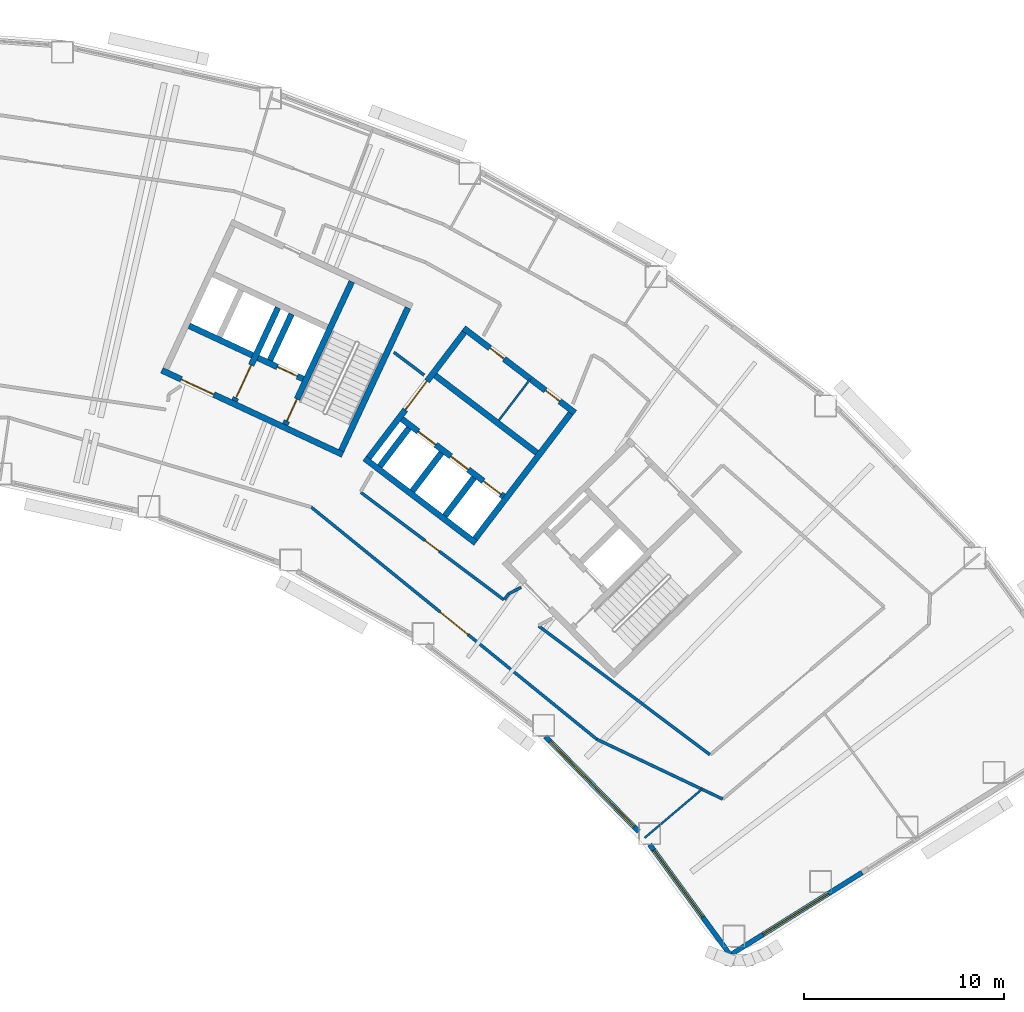
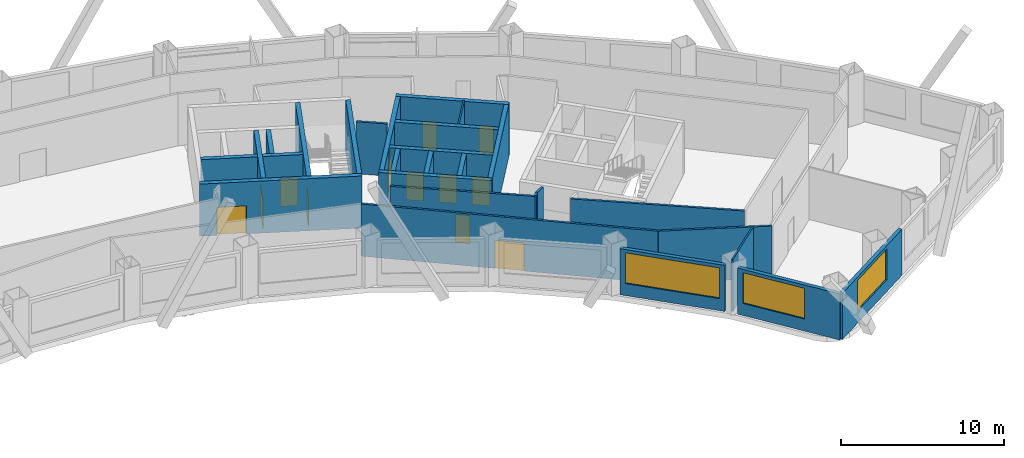
# One storey, part 6 of 11: 28 walls, 12 doors, 3 windows, 15 openings.
"""IFC4 building model written with IfcOpenShell, lengths in metres."""

from ifc_helpers import new_model, si_unit, direction, frame, frame_2d, origin, place, context, subcontext, project, spatial, rectangle, extrude, material, layer, layer_set, type_object, element, fill, save


model = new_model("IFC4")

# Units and contexts
model_context = context("Model", 3, precision=1e-05, world=origin(), true_north=direction((0.0, 1.0)))
body_context = subcontext(model_context, "Body", "Model", "MODEL_VIEW")
ifc_project = project(units=[si_unit("LENGTHUNIT", "METRE"), si_unit("AREAUNIT", "SQUARE_METRE"), si_unit("VOLUMEUNIT", "CUBIC_METRE"), si_unit("PLANEANGLEUNIT", "RADIAN"), si_unit("MASSUNIT", "GRAM", prefix="KILO")], contexts=[model_context])

# Site, building, storey
site_placement = place(None, origin())
site = spatial("IfcSite", under=ifc_project, at=site_placement, CompositionType="ELEMENT")
building_placement = place(site_placement, origin())
building = spatial("IfcBuilding", under=site, at=building_placement, Name="Tuul Gate Civic Tower", CompositionType="ELEMENT")
storey_placement = place(building_placement, frame((0.0, 0.0, 99.300048828125)))
storey = spatial("IfcBuildingStorey", under=building, at=storey_placement, Name="Level 22", CompositionType="ELEMENT", Elevation=99.300048828125)

# Wall, opening, door
ifc_material_1 = material(Name="Concrete C50/60", Category="concrete")
ifc_layer_1 = layer(ifc_material_1, 0.300048828125)
ifc_layer_set_1 = layer_set([ifc_layer_1], Name="Concrete C50/60")
wall_type_1 = type_object("IfcWallType", Name="Core wall C50/60", PredefinedType="SHEAR", material=ifc_layer_set_1)
wall_1_placement = place(storey_placement, frame((34.5283203125, -7.25, 0.0), z_axis=(0.0, 0.0, 1.0), x_axis=(-0.906310338845, 0.422612789327, 0.0)))
wall_1 = element("IfcWall", 1, at=wall_1_placement, inside=storey, type_object=wall_type_1, Name="Core wall", PredefinedType="SHEAR", context=body_context, shape_type="SweptSolid", body=[
    extrude(rectangle(XDim=9.999755859375, YDim=0.300048828125, at=frame_2d((5.0, 0.0))), origin(), (0.0, 0.0, 1.0), 3.89990234375),
])
opening_1_placement = place(wall_1_placement, frame((7.125, 0.0, 0.0)))
opening_1 = element("IfcOpeningElement", 2, at=opening_1_placement, cuts=wall_1, Name="Opening LB-E3-LOBBY-1", PredefinedType="OPENING", context=body_context, shape_type="SweptSolid", body=[
    extrude(rectangle(XDim=1.800048828125, YDim=2.10009765625, at=frame_2d((0.89990234375, 1.050048828125))), frame((0.0, 0.16015625, 0.0), z_axis=(0.0, -1.0, 0.0), x_axis=(1.0, 0.0, 0.0)), (0.0, 0.0, 1.0), 0.320068359375),
])
ifc_material_2 = material(Name="Steel", Category="steel")
door_type_1 = type_object("IfcDoorType", Name="Lobby door", OperationType="DOUBLE_DOOR_SINGLE_SWING", PredefinedType="DOOR", material=ifc_material_2)
door_1_placement = place(opening_1_placement, frame((1.800048828125, 0.0, 0.0), z_axis=(0.0, 0.0, 1.0), x_axis=(-1.0, 0.0, 0.0)))
door_1 = element("IfcDoor", 3, at=door_1_placement, inside=storey, type_object=door_type_1, Name="Lobby door E3-LOBBY", OperationType="DOUBLE_DOOR_SINGLE_SWING", OverallHeight=2.10009765625, OverallWidth=1.800048828125, PredefinedType="DOOR", context=body_context, shape_type="SweptSolid", body=[
    extrude(rectangle(XDim=1.800048828125, YDim=2.10009765625, at=frame_2d((0.900146484375, 1.050048828125))), frame((0.0, 0.02490234375, 0.0), z_axis=(0.0, -1.0, 0.0), x_axis=(1.0, 0.0, 0.0)), (0.0, 0.0, 1.0), 0.050048828125),
])
fill(opening_1, door_1)

wall_2_placement = place(storey_placement, frame((32.545654296875, -3.456787109375, 0.0), z_axis=(0.0, 0.0, 1.0), x_axis=(-0.906300357825, 0.42263419337, 0.0)))
wall_2 = element("IfcWall", 4, at=wall_2_placement, inside=storey, type_object=wall_type_1, Name="Core wall", PredefinedType="SHEAR", context=body_context, shape_type="SweptSolid", body=[
    extrude(rectangle(XDim=2.500244140625, YDim=0.300048828125, at=frame_2d((1.25, 0.0))), origin(), (0.0, 0.0, 1.0), 3.89990234375),
])
opening_2_placement = place(wall_2_placement, frame((0.324951171875, 0.0, 0.0)))
opening_2 = element("IfcOpeningElement", 5, at=opening_2_placement, cuts=wall_2, Name="Opening LD-FF-2", PredefinedType="OPENING", context=body_context, shape_type="SweptSolid", body=[
    extrude(rectangle(XDim=1.10009765625, YDim=2.10009765625, at=frame_2d((0.550048828125, 1.050048828125))), frame((0.0, 0.16015625, 0.0), z_axis=(0.0, -1.0, 0.0), x_axis=(1.0, 0.0, 0.0)), (0.0, 0.0, 1.0), 0.320068359375),
])
ifc_material_3 = material(Name="Stainless steel", Category="steel")
door_type_2 = type_object("IfcDoorType", Name="Landing door", OperationType="DOUBLE_DOOR_SLIDING", PredefinedType="DOOR", material=ifc_material_3)
door_2_placement = place(opening_2_placement, origin())
door_2 = element("IfcDoor", 6, at=door_2_placement, inside=storey, type_object=door_type_2, Name="Fire-fighting lift FF-2 landing door", OperationType="DOUBLE_DOOR_SLIDING", OverallHeight=2.10009765625, OverallWidth=1.10009765625, PredefinedType="DOOR", context=body_context, shape_type="SweptSolid", body=[
    extrude(rectangle(XDim=1.10009765625, YDim=2.10009765625, at=frame_2d((0.550048828125, 1.050048828125))), frame((0.0, 0.02490234375, 0.0), z_axis=(0.0, -1.0, 0.0), x_axis=(1.0, 0.0, 0.0)), (0.0, 0.0, 1.0), 0.050048828125),
])
fill(opening_2, door_2)

# Walls
wall_3_placement = place(storey_placement, frame((30.0078125, -2.2734375, 0.0), z_axis=(0.0, 0.0, 1.0), x_axis=(-0.90630071767, 0.422633421716, 0.0)))
element("IfcWall", 7, at=wall_3_placement, inside=storey, type_object=wall_type_1, Name="Core wall", PredefinedType="SHEAR", context=body_context, shape_type="SweptSolid", body=[
    extrude(rectangle(XDim=3.5, YDim=0.300048828125, at=frame_2d((1.75, 0.0))), origin(), (0.0, 0.0, 1.0), 3.89990234375),
])
wall_4_placement = place(storey_placement, frame((34.455810546875, -7.05078125, 0.0), z_axis=(0.0, 0.0, 1.0), x_axis=(0.422570768258, 0.906329932096, 0.0)))
element("IfcWall", 8, at=wall_4_placement, inside=storey, type_object=wall_type_1, Name="Core wall", PredefinedType="SHEAR", context=body_context, shape_type="SweptSolid", body=[
    extrude(rectangle(XDim=7.900146484375, YDim=0.300048828125, at=frame_2d((3.9501953125, 0.0))), origin(), (0.0, 0.0, 1.0), 3.89990234375),
])

# Wall, opening, door
wall_5_placement = place(storey_placement, frame((31.646240234375, -5.740478515625, 0.0), z_axis=(0.0, 0.0, 1.0), x_axis=(0.422582604137, 0.906324413596, 0.0)))
wall_5 = element("IfcWall", 9, at=wall_5_placement, inside=storey, type_object=wall_type_1, Name="Core wall", PredefinedType="SHEAR", context=body_context, shape_type="SweptSolid", body=[
    extrude(rectangle(XDim=7.89990234375, YDim=0.300048828125, at=frame_2d((3.949951171875, 0.0))), origin(), (0.0, 0.0, 1.0), 3.89990234375),
])
opening_3_placement = place(wall_5_placement, frame((0.199951171875, 0.0, 0.0)))
opening_3 = element("IfcOpeningElement", 10, at=opening_3_placement, cuts=wall_5, Name="Opening SD-ST-4", PredefinedType="OPENING", context=body_context, shape_type="SweptSolid", body=[
    extrude(rectangle(XDim=1.199951171875, YDim=2.10009765625, at=frame_2d((0.60009765625, 1.050048828125))), frame((0.0, 0.16015625, 0.0), z_axis=(0.0, -1.0, 0.0), x_axis=(1.0, 0.0, 0.0)), (0.0, 0.0, 1.0), 0.320068359375),
])
ifc_material_4 = material(Name="Steel", Category="steel")
door_type_3 = type_object("IfcDoorType", Name="Stair door", OperationType="NOTDEFINED", PredefinedType="DOOR", material=ifc_material_4)
door_3_placement = place(opening_3_placement, origin())
door_3 = element("IfcDoor", 11, at=door_3_placement, inside=storey, type_object=door_type_3, Name="Stair door ST-4", OperationType="SINGLE_SWING_LEFT", OverallHeight=2.10009765625, OverallWidth=1.199951171875, PredefinedType="DOOR", context=body_context, shape_type="SweptSolid", body=[
    extrude(rectangle(XDim=1.199951171875, YDim=2.10009765625, at=frame_2d((0.60009765625, 1.050048828125))), frame((0.0, 0.02490234375, 0.0), z_axis=(0.0, -1.0, 0.0), x_axis=(1.0, 0.0, 0.0)), (0.0, 0.0, 1.0), 0.050048828125),
])
fill(opening_3, door_3)

# Wall
wall_6_placement = place(storey_placement, frame((30.886962890625, -2.517822265625, 0.0), z_axis=(0.0, 0.0, 1.0), x_axis=(0.422612891016, 0.906310291427, 0.0)))
element("IfcWall", 12, at=wall_6_placement, inside=storey, type_object=wall_type_1, Name="Core wall", PredefinedType="SHEAR", context=body_context, shape_type="SweptSolid", body=[
    extrude(rectangle(XDim=2.550048828125, YDim=0.300048828125, at=frame_2d((1.27490234375, 0.0))), origin(), (0.0, 0.0, 1.0), 3.89990234375),
])

# Wall, opening, door
wall_7_placement = place(storey_placement, frame((29.108642578125, -4.557373046875, 0.0), z_axis=(0.0, 0.0, 1.0), x_axis=(0.422566235356, 0.90633204552, 0.0)))
wall_7 = element("IfcWall", 13, at=wall_7_placement, inside=storey, type_object=wall_type_1, Name="Core wall", PredefinedType="SHEAR", context=body_context, shape_type="SweptSolid", body=[
    extrude(rectangle(XDim=5.150146484375, YDim=0.300048828125, at=frame_2d((2.5751953125, 0.0))), origin(), (0.0, 0.0, 1.0), 3.89990234375),
])
opening_4_placement = place(wall_7_placement, frame((0.175048828125, 0.0, 0.0)))
opening_4 = element("IfcOpeningElement", 14, at=opening_4_placement, cuts=wall_7, Name="Opening LB-E3-FLOBBY-1", PredefinedType="OPENING", context=body_context, shape_type="SweptSolid", body=[
    extrude(rectangle(XDim=1.800048828125, YDim=2.10009765625, at=frame_2d((0.89990234375, 1.050048828125))), frame((0.0, 0.16015625, 0.0), z_axis=(0.0, -1.0, 0.0), x_axis=(1.0, 0.0, 0.0)), (0.0, 0.0, 1.0), 0.320068359375),
])
door_4_placement = place(opening_4_placement, frame((1.800048828125, 0.0, 0.0), z_axis=(0.0, 0.0, 1.0), x_axis=(-1.0, 0.0, 0.0)))
door_4 = element("IfcDoor", 15, at=door_4_placement, inside=storey, type_object=door_type_1, Name="Lobby door E3-FLOBBY", OperationType="DOUBLE_DOOR_SINGLE_SWING", OverallHeight=2.10009765625, OverallWidth=1.800048828125, PredefinedType="DOOR", context=body_context, shape_type="SweptSolid", body=[
    extrude(rectangle(XDim=1.800048828125, YDim=2.10009765625, at=frame_2d((0.900146484375, 1.050048828125))), frame((0.0, 0.02490234375, 0.0), z_axis=(0.0, -1.0, 0.0), x_axis=(1.0, 0.0, 0.0)), (0.0, 0.0, 1.0), 0.050048828125),
])
fill(opening_4, door_4)

ifc_material_5 = material(Name="Gypsum board partition")
ifc_layer_2 = layer(ifc_material_5, 0.14990234375)
ifc_layer_set_2 = layer_set([ifc_layer_2], Name="Gypsum board partition")
wall_type_2 = type_object("IfcWallType", Name="Corridor wall P150", PredefinedType="PARTITIONING", material=ifc_layer_set_2)
wall_8_placement = place(storey_placement, frame((32.956298828125, -9.885009765625, 0.0), z_axis=(0.0, 0.0, 1.0), x_axis=(0.775982755996, -0.630754121982, 0.0)))
wall_8 = element("IfcWall", 16, at=wall_8_placement, inside=storey, type_object=wall_type_2, Name="p029", PredefinedType="PARTITIONING", context=body_context, shape_type="SweptSolid", body=[
    extrude(rectangle(XDim=18.43798828125, YDim=0.14990234375, at=frame_2d((9.218994140625, 0.0))), origin(), (0.0, 0.0, 1.0), 3.89990234375),
])
opening_5_placement = place(wall_8_placement, frame((8.31884765625, 0.0, 0.0)))
opening_5 = element("IfcOpeningElement", 17, at=opening_5_placement, cuts=wall_8, Name="Opening G-D09", PredefinedType="OPENING", context=body_context, shape_type="SweptSolid", body=[
    extrude(rectangle(XDim=1.800048828125, YDim=2.10009765625, at=frame_2d((0.89990234375, 1.050048828125))), frame((0.0, 0.0849609375, 0.0), z_axis=(0.0, -1.0, 0.0), x_axis=(1.0, 0.0, 0.0)), (0.0, 0.0, 1.0), 0.169921875),
])
ifc_material_6 = material(Name="Timber door leaf, double", Category="wood")
door_type_4 = type_object("IfcDoorType", Name="Door D18", OperationType="DOUBLE_DOOR_SINGLE_SWING", PredefinedType="DOOR", material=ifc_material_6)
door_5_placement = place(opening_5_placement, origin())
door_5 = element("IfcDoor", 18, at=door_5_placement, inside=storey, type_object=door_type_4, Name="Door G-D09", OperationType="DOUBLE_DOOR_SINGLE_SWING", OverallHeight=2.10009765625, OverallWidth=1.800048828125, PredefinedType="DOOR", context=body_context, shape_type="SweptSolid", body=[
    extrude(rectangle(XDim=1.800048828125, YDim=2.10009765625, at=frame_2d((0.89990234375, 1.050048828125))), frame((0.0, 0.02490234375, 0.0), z_axis=(0.0, -1.0, 0.0), x_axis=(1.0, 0.0, 0.0)), (0.0, 0.0, 1.0), 0.050048828125),
])
fill(opening_5, door_5)

# Wall
wall_9_placement = place(storey_placement, frame((47.263916015625, -21.514892578125, 0.0), z_axis=(0.0, 0.0, 1.0), x_axis=(0.90329952293, -0.429010456603, 0.0)))
element("IfcWall", 19, at=wall_9_placement, inside=storey, type_object=wall_type_2, Name="p030", PredefinedType="PARTITIONING", context=body_context, shape_type="SweptSolid", body=[
    extrude(rectangle(XDim=6.982666015625, YDim=0.14990234375, at=frame_2d((3.4912109375, 0.0))), origin(), (0.0, 0.0, 1.0), 3.89990234375),
])

# Wall, opening, door
wall_10_placement = place(storey_placement, frame((35.4326171875, -9.13525390625, 0.0), z_axis=(0.0, 0.0, 1.0), x_axis=(0.799322648487, -0.600902074897, 0.0)))
wall_10 = element("IfcWall", 20, at=wall_10_placement, inside=storey, type_object=wall_type_2, Name="p047", PredefinedType="PARTITIONING", context=body_context, shape_type="SweptSolid", body=[
    extrude(rectangle(XDim=8.9599609375, YDim=0.14990234375, at=frame_2d((4.47998046875, 0.0))), origin(), (0.0, 0.0, 1.0), 3.89990234375),
])
opening_6_placement = place(wall_10_placement, frame((4.02978515625, 0.0, 0.0)))
opening_6 = element("IfcOpeningElement", 21, at=opening_6_placement, cuts=wall_10, Name="Opening G-D15", PredefinedType="OPENING", context=body_context, shape_type="SweptSolid", body=[
    extrude(rectangle(XDim=0.89990234375, YDim=2.10009765625, at=frame_2d((0.449951171875, 1.050048828125))), frame((0.0, 0.0849609375, 0.0), z_axis=(0.0, -1.0, 0.0), x_axis=(1.0, 0.0, 0.0)), (0.0, 0.0, 1.0), 0.169921875),
])
ifc_material_7 = material(Name="Timber door leaf", Category="wood")
door_type_5 = type_object("IfcDoorType", Name="Door D09", OperationType="NOTDEFINED", PredefinedType="DOOR", material=ifc_material_7)
door_6_placement = place(opening_6_placement, origin())
door_6 = element("IfcDoor", 22, at=door_6_placement, inside=storey, type_object=door_type_5, Name="Door G-D15", OperationType="SINGLE_SWING_RIGHT", OverallHeight=2.10009765625, OverallWidth=0.89990234375, PredefinedType="DOOR", context=body_context, shape_type="SweptSolid", body=[
    extrude(rectangle(XDim=0.89990234375, YDim=2.10009765625, at=frame_2d((0.449951171875, 1.050048828125))), frame((0.0, 0.02490234375, 0.0), z_axis=(0.0, -1.0, 0.0), x_axis=(1.0, 0.0, 0.0)), (0.0, 0.0, 1.0), 0.050048828125),
])
fill(opening_6, door_6)

# Walls
wall_11_placement = place(storey_placement, frame((44.349365234375, -15.83837890625, 0.0), z_axis=(0.0, 0.0, 1.0), x_axis=(0.799325027791, -0.600898909923, 0.0)))
element("IfcWall", 23, at=wall_11_placement, inside=storey, type_object=wall_type_2, Name="p048", PredefinedType="PARTITIONING", context=body_context, shape_type="SweptSolid", body=[
    extrude(rectangle(XDim=10.72900390625, YDim=0.14990234375, at=frame_2d((5.364501953125, 0.0))), origin(), (0.0, 0.0, 1.0), 3.89990234375),
])
wall_12_placement = place(storey_placement, frame((42.84375, -14.224365234375, 0.0), z_axis=(0.0, 0.0, 1.0), x_axis=(0.885606048762, 0.464437214698, 0.0)))
element("IfcWall", 24, at=wall_12_placement, inside=storey, type_object=wall_type_2, Name="p050", PredefinedType="PARTITIONING", context=body_context, shape_type="SweptSolid", body=[
    extrude(rectangle(XDim=0.69970703125, YDim=0.14990234375, at=frame_2d((0.349853515625, 0.0))), origin(), (0.0, 0.0, 1.0), 3.89990234375),
])
wall_13_placement = place(storey_placement, frame((42.62255859375, -14.515380859375, 0.0), z_axis=(0.0, 0.0, 1.0), x_axis=(0.604811516192, 0.796368651996, 0.0)))
element("IfcWall", 25, at=wall_13_placement, inside=storey, type_object=wall_type_2, Name="p051", PredefinedType="PARTITIONING", context=body_context, shape_type="SweptSolid", body=[
    extrude(rectangle(XDim=0.364501953125, YDim=0.14990234375, at=frame_2d((0.18212890625, 0.0))), origin(), (0.0, 0.0, 1.0), 3.89990234375),
])
wall_14_placement = place(storey_placement, frame((37.087158203125, -2.1181640625, 0.0), z_axis=(0.0, 0.0, 1.0), x_axis=(0.798984435846, -0.601351703478, 0.0)))
element("IfcWall", 26, at=wall_14_placement, inside=storey, type_object=wall_type_2, Name="p057", PredefinedType="PARTITIONING", context=body_context, shape_type="SweptSolid", body=[
    extrude(rectangle(XDim=1.906005859375, YDim=0.14990234375, at=frame_2d((0.953125, 0.0))), origin(), (0.0, 0.0, 1.0), 3.89990234375),
])

# Wall, opening, window
ifc_material_8 = material(Name="Precast concrete C40/50", Category="concrete")
ifc_layer_3 = layer(ifc_material_8, 0.25)
ifc_layer_set_3 = layer_set([ifc_layer_3], Name="Precast concrete C40/50")
wall_type_3 = type_object("IfcWallType", Name="External wall", PredefinedType="STANDARD", material=ifc_layer_set_3)
wall_15_placement = place(storey_placement, frame((44.679931640625, -21.366943359375, 0.0), z_axis=(0.0, 0.0, 1.0), x_axis=(0.700023947057, -0.714119369256, 0.0)))
wall_15 = element("IfcWall", 27, at=wall_15_placement, inside=storey, type_object=wall_type_3, Name="External wall", PredefinedType="STANDARD", context=body_context, shape_type="SweptSolid", body=[
    extrude(rectangle(XDim=6.685791015625, YDim=0.25, at=frame_2d((3.3427734375, 0.0))), origin(), (0.0, 0.0, 1.0), 3.449951171875),
])
opening_7_placement = place(wall_15_placement, frame((0.343994140625, 0.0, 0.89990234375)))
opening_7 = element("IfcOpeningElement", 28, at=opening_7_placement, cuts=wall_15, Name="Opening W26", PredefinedType="OPENING", context=body_context, shape_type="SweptSolid", body=[
    extrude(rectangle(XDim=6.0, YDim=2.300048828125, at=frame_2d((3.0, 1.14990234375))), frame((0.0, 0.135009765625, 0.0), z_axis=(0.0, -1.0, 0.0), x_axis=(1.0, 0.0, 0.0)), (0.0, 0.0, 1.0), 0.27001953125),
])
ifc_material_9 = material(Name="Glass", Category="glass")
window_type_1 = type_object("IfcWindowType", Name="Window W26 6000 x 2300", PartitioningType="SINGLE_PANEL", PredefinedType="WINDOW", material=ifc_material_9)
window_1_placement = place(opening_7_placement, origin())
window_1 = element("IfcWindow", 29, at=window_1_placement, inside=storey, type_object=window_type_1, Name="Window", OverallHeight=2.300048828125, OverallWidth=6.0, PartitioningType="SINGLE_PANEL", PredefinedType="WINDOW", context=body_context, shape_type="SweptSolid", body=[
    extrude(rectangle(XDim=6.0, YDim=2.300048828125, at=frame_2d((3.0, 1.14990234375))), frame((0.0, 0.030029296875, 0.0), z_axis=(0.0, -1.0, 0.0), x_axis=(1.0, 0.0, 0.0)), (0.0, 0.0, 1.0), 0.06005859375),
])
fill(opening_7, window_1)

wall_16_placement = place(storey_placement, frame((49.9091796875, -26.7880859375, 0.0), z_axis=(0.0, 0.0, 1.0), x_axis=(0.589741263703, -0.807592249769, 0.0)))
wall_16 = element("IfcWall", 30, at=wall_16_placement, inside=storey, type_object=wall_type_3, Name="External wall", PredefinedType="STANDARD", context=body_context, shape_type="SweptSolid", body=[
    extrude(rectangle(XDim=6.848388671875, YDim=0.25, at=frame_2d((3.42431640625, 0.0))), origin(), (0.0, 0.0, 1.0), 3.449951171875),
])
opening_8_placement = place(wall_16_placement, frame((0.341796875, 0.0, 0.89990234375)))
opening_8 = element("IfcOpeningElement", 31, at=opening_8_placement, cuts=wall_16, Name="Opening W25", PredefinedType="OPENING", context=body_context, shape_type="SweptSolid", body=[
    extrude(rectangle(XDim=4.14990234375, YDim=2.300048828125, at=frame_2d((2.074951171875, 1.14990234375))), frame((0.0, 0.135009765625, 0.0), z_axis=(0.0, -1.0, 0.0), x_axis=(1.0, 0.0, 0.0)), (0.0, 0.0, 1.0), 0.27001953125),
])
ifc_material_10 = material(Name="Glass", Category="glass")
window_type_2 = type_object("IfcWindowType", Name="Window W25 4150 x 2300", PartitioningType="SINGLE_PANEL", PredefinedType="WINDOW", material=ifc_material_10)
window_2_placement = place(opening_8_placement, origin())
window_2 = element("IfcWindow", 32, at=window_2_placement, inside=storey, type_object=window_type_2, Name="Window", OverallHeight=2.300048828125, OverallWidth=4.14990234375, PartitioningType="SINGLE_PANEL", PredefinedType="WINDOW", context=body_context, shape_type="SweptSolid", body=[
    extrude(rectangle(XDim=4.14990234375, YDim=2.300048828125, at=frame_2d((2.074951171875, 1.14990234375))), frame((0.0, 0.030029296875, 0.0), z_axis=(0.0, -1.0, 0.0), x_axis=(1.0, 0.0, 0.0)), (0.0, 0.0, 1.0), 0.06005859375),
])
fill(opening_8, window_2)

wall_17_placement = place(storey_placement, frame((53.947998046875, -32.31884765625, 0.0), z_axis=(0.0, 0.0, 1.0), x_axis=(0.848051131154, 0.529914407191, 0.0)))
wall_17 = element("IfcWall", 33, at=wall_17_placement, inside=storey, type_object=wall_type_3, Name="External wall", PredefinedType="STANDARD", context=body_context, shape_type="SweptSolid", body=[
    extrude(rectangle(XDim=7.788330078125, YDim=0.25, at=frame_2d((3.89404296875, 0.0))), origin(), (0.0, 0.0, 1.0), 3.449951171875),
])
opening_9_placement = place(wall_17_placement, frame((1.944091796875, 0.0, 0.89990234375)))
opening_9 = element("IfcOpeningElement", 34, at=opening_9_placement, cuts=wall_17, Name="Opening W22", PredefinedType="OPENING", context=body_context, shape_type="SweptSolid", body=[
    extrude(rectangle(XDim=3.85009765625, YDim=2.300048828125, at=frame_2d((1.925048828125, 1.14990234375))), frame((0.0, 0.135009765625, 0.0), z_axis=(0.0, -1.0, 0.0), x_axis=(1.0, 0.0, 0.0)), (0.0, 0.0, 1.0), 0.27001953125),
])
ifc_material_11 = material(Name="Glass", Category="glass")
window_type_3 = type_object("IfcWindowType", Name="Window W22 3850 x 2300", PartitioningType="SINGLE_PANEL", PredefinedType="WINDOW", material=ifc_material_11)
window_3_placement = place(opening_9_placement, origin())
window_3 = element("IfcWindow", 35, at=window_3_placement, inside=storey, type_object=window_type_3, Name="Window", OverallHeight=2.300048828125, OverallWidth=3.85009765625, PartitioningType="SINGLE_PANEL", PredefinedType="WINDOW", context=body_context, shape_type="SweptSolid", body=[
    extrude(rectangle(XDim=3.85009765625, YDim=2.300048828125, at=frame_2d((1.925048828125, 1.14990234375))), frame((0.0, 0.030029296875, 0.0), z_axis=(0.0, -1.0, 0.0), x_axis=(1.0, 0.0, 0.0)), (0.0, 0.0, 1.0), 0.06005859375),
])
fill(opening_9, window_3)

# Wall
ifc_material_12 = material(Name="Concrete C40/50", Category="concrete")
ifc_layer_4 = layer(ifc_material_12, 0.300048828125)
ifc_layer_set_4 = layer_set([ifc_layer_4], Name="Concrete C40/50")
wall_type_4 = type_object("IfcWallType", Name="Lift shaft wall C40/50", PredefinedType="STANDARD", material=ifc_layer_set_4)
wall_18_placement = place(storey_placement, frame((41.19189453125, -11.677734375, 0.0), z_axis=(0.0, 0.0, 1.0), x_axis=(-0.795563000331, 0.605870871147, 0.0)))
element("IfcWall", 36, at=wall_18_placement, inside=storey, type_object=wall_type_4, Name="Shaft wall", PredefinedType="STANDARD", context=body_context, shape_type="SweptSolid", body=[
    extrude(rectangle(XDim=7.000244140625, YDim=0.300048828125, at=frame_2d((3.5, 0.0))), origin(), (0.0, 0.0, 1.0), 3.89990234375),
])

# Wall, openings, doors
wall_19_placement = place(storey_placement, frame((42.5888671875, -9.34765625, 0.0), z_axis=(0.0, 0.0, 1.0), x_axis=(-0.795584062101, 0.605843214149, 0.0)))
wall_19 = element("IfcWall", 37, at=wall_19_placement, inside=storey, type_object=wall_type_4, Name="Shaft wall", PredefinedType="STANDARD", context=body_context, shape_type="SweptSolid", body=[
    extrude(rectangle(XDim=6.400146484375, YDim=0.300048828125, at=frame_2d((3.2001953125, 0.0))), origin(), (0.0, 0.0, 1.0), 3.89990234375),
])
opening_10_placement = place(wall_19_placement, frame((0.175048828125, 0.0, 0.0)))
opening_10 = element("IfcOpeningElement", 38, at=opening_10_placement, cuts=wall_19, Name="Opening LD-L1", PredefinedType="OPENING", context=body_context, shape_type="SweptSolid", body=[
    extrude(rectangle(XDim=1.10009765625, YDim=2.10009765625, at=frame_2d((0.550048828125, 1.050048828125))), frame((0.0, 0.16015625, 0.0), z_axis=(0.0, -1.0, 0.0), x_axis=(1.0, 0.0, 0.0)), (0.0, 0.0, 1.0), 0.320068359375),
])
opening_11_placement = place(wall_19_placement, frame((2.22509765625, 0.0, 0.0)))
opening_11 = element("IfcOpeningElement", 39, at=opening_11_placement, cuts=wall_19, Name="Opening LD-L2", PredefinedType="OPENING", context=body_context, shape_type="SweptSolid", body=[
    extrude(rectangle(XDim=1.10009765625, YDim=2.10009765625, at=frame_2d((0.550048828125, 1.050048828125))), frame((0.0, 0.16015625, 0.0), z_axis=(0.0, -1.0, 0.0), x_axis=(1.0, 0.0, 0.0)), (0.0, 0.0, 1.0), 0.320068359375),
])
opening_12_placement = place(wall_19_placement, frame((4.27490234375, 0.0, 0.0)))
opening_12 = element("IfcOpeningElement", 40, at=opening_12_placement, cuts=wall_19, Name="Opening LD-L3", PredefinedType="OPENING", context=body_context, shape_type="SweptSolid", body=[
    extrude(rectangle(XDim=1.10009765625, YDim=2.10009765625, at=frame_2d((0.550048828125, 1.050048828125))), frame((0.0, 0.16015625, 0.0), z_axis=(0.0, -1.0, 0.0), x_axis=(1.0, 0.0, 0.0)), (0.0, 0.0, 1.0), 0.320068359375),
])
door_7_placement = place(opening_10_placement, origin())
door_7 = element("IfcDoor", 41, at=door_7_placement, inside=storey, type_object=door_type_2, Name="Low-rise lift L1 landing door", OperationType="DOUBLE_DOOR_SLIDING", OverallHeight=2.10009765625, OverallWidth=1.10009765625, PredefinedType="DOOR", context=body_context, shape_type="SweptSolid", body=[
    extrude(rectangle(XDim=1.10009765625, YDim=2.10009765625, at=frame_2d((0.550048828125, 1.050048828125))), frame((0.0, 0.02490234375, 0.0), z_axis=(0.0, -1.0, 0.0), x_axis=(1.0, 0.0, 0.0)), (0.0, 0.0, 1.0), 0.050048828125),
])
fill(opening_10, door_7)
door_8_placement = place(opening_11_placement, origin())
door_8 = element("IfcDoor", 42, at=door_8_placement, inside=storey, type_object=door_type_2, Name="Low-rise lift L2 landing door", OperationType="DOUBLE_DOOR_SLIDING", OverallHeight=2.10009765625, OverallWidth=1.10009765625, PredefinedType="DOOR", context=body_context, shape_type="SweptSolid", body=[
    extrude(rectangle(XDim=1.10009765625, YDim=2.10009765625, at=frame_2d((0.550048828125, 1.050048828125))), frame((0.0, 0.02490234375, 0.0), z_axis=(0.0, -1.0, 0.0), x_axis=(1.0, 0.0, 0.0)), (0.0, 0.0, 1.0), 0.050048828125),
])
fill(opening_11, door_8)
door_9_placement = place(opening_12_placement, origin())
door_9 = element("IfcDoor", 43, at=door_9_placement, inside=storey, type_object=door_type_2, Name="Low-rise lift L3 landing door", OperationType="DOUBLE_DOOR_SLIDING", OverallHeight=2.10009765625, OverallWidth=1.10009765625, PredefinedType="DOOR", context=body_context, shape_type="SweptSolid", body=[
    extrude(rectangle(XDim=1.10009765625, YDim=2.10009765625, at=frame_2d((0.550048828125, 1.050048828125))), frame((0.0, 0.02490234375, 0.0), z_axis=(0.0, -1.0, 0.0), x_axis=(1.0, 0.0, 0.0)), (0.0, 0.0, 1.0), 0.050048828125),
])
fill(opening_12, door_9)

# Wall
wall_20_placement = place(storey_placement, frame((44.254638671875, -7.15966796875, 0.0), z_axis=(0.0, 0.0, 1.0), x_axis=(-0.795565675562, 0.605867358312, 0.0)))
element("IfcWall", 44, at=wall_20_placement, inside=storey, type_object=wall_type_4, Name="Shaft wall", PredefinedType="STANDARD", context=body_context, shape_type="SweptSolid", body=[
    extrude(rectangle(XDim=6.400146484375, YDim=0.300048828125, at=frame_2d((3.2001953125, 0.0))), origin(), (0.0, 0.0, 1.0), 3.89990234375),
])

# Wall, openings, doors
wall_21_placement = place(storey_placement, frame((46.1591796875, -5.1533203125, 0.0), z_axis=(0.0, 0.0, 1.0), x_axis=(-0.795579811045, 0.605848796531, 0.0)))
wall_21 = element("IfcWall", 45, at=wall_21_placement, inside=storey, type_object=wall_type_4, Name="Shaft wall", PredefinedType="STANDARD", context=body_context, shape_type="SweptSolid", body=[
    extrude(rectangle(XDim=7.0, YDim=0.300048828125, at=frame_2d((3.5, 0.0))), origin(), (0.0, 0.0, 1.0), 3.89990234375),
])
opening_13_placement = place(wall_21_placement, frame((0.949951171875, 0.0, 0.0)))
opening_13 = element("IfcOpeningElement", 46, at=opening_13_placement, cuts=wall_21, Name="Opening G-D27", PredefinedType="OPENING", context=body_context, shape_type="SweptSolid", body=[
    extrude(rectangle(XDim=0.89990234375, YDim=2.10009765625, at=frame_2d((0.449951171875, 1.050048828125))), frame((0.0, 0.16015625, 0.0), z_axis=(0.0, -1.0, 0.0), x_axis=(1.0, 0.0, 0.0)), (0.0, 0.0, 1.0), 0.320068359375),
])
opening_14_placement = place(wall_21_placement, frame((4.449951171875, 0.0, 0.0)))
opening_14 = element("IfcOpeningElement", 47, at=opening_14_placement, cuts=wall_21, Name="Opening G-D28", PredefinedType="OPENING", context=body_context, shape_type="SweptSolid", body=[
    extrude(rectangle(XDim=0.89990234375, YDim=2.10009765625, at=frame_2d((0.449951171875, 1.050048828125))), frame((0.0, 0.16015625, 0.0), z_axis=(0.0, -1.0, 0.0), x_axis=(1.0, 0.0, 0.0)), (0.0, 0.0, 1.0), 0.320068359375),
])
door_10_placement = place(opening_13_placement, origin())
door_10 = element("IfcDoor", 48, at=door_10_placement, inside=storey, type_object=door_type_5, Name="Door G-D27", OperationType="SINGLE_SWING_LEFT", OverallHeight=2.10009765625, OverallWidth=0.89990234375, PredefinedType="DOOR", context=body_context, shape_type="SweptSolid", body=[
    extrude(rectangle(XDim=0.89990234375, YDim=2.10009765625, at=frame_2d((0.449951171875, 1.050048828125))), frame((0.0, 0.02490234375, 0.0), z_axis=(0.0, -1.0, 0.0), x_axis=(1.0, 0.0, 0.0)), (0.0, 0.0, 1.0), 0.050048828125),
])
fill(opening_13, door_10)
door_11_placement = place(opening_14_placement, origin())
door_11 = element("IfcDoor", 49, at=door_11_placement, inside=storey, type_object=door_type_5, Name="Door G-D28", OperationType="SINGLE_SWING_RIGHT", OverallHeight=2.10009765625, OverallWidth=0.89990234375, PredefinedType="DOOR", context=body_context, shape_type="SweptSolid", body=[
    extrude(rectangle(XDim=0.89990234375, YDim=2.10009765625, at=frame_2d((0.449951171875, 1.050048828125))), frame((0.0, 0.02490234375, 0.0), z_axis=(0.0, -1.0, 0.0), x_axis=(1.0, 0.0, 0.0)), (0.0, 0.0, 1.0), 0.050048828125),
])
fill(opening_14, door_11)

# Walls
wall_22_placement = place(storey_placement, frame((41.163330078125, -11.46728515625, 0.0), z_axis=(0.0, 0.0, 1.0), x_axis=(0.605784332699, 0.795628897324, 0.0)))
element("IfcWall", 50, at=wall_22_placement, inside=storey, type_object=wall_type_4, Name="Shaft wall", PredefinedType="STANDARD", context=body_context, shape_type="SweptSolid", body=[
    extrude(rectangle(XDim=7.89990234375, YDim=0.300048828125, at=frame_2d((3.949951171875, 0.0))), origin(), (0.0, 0.0, 1.0), 3.89990234375),
])
wall_23_placement = place(storey_placement, frame((39.65185546875, -10.31640625, 0.0), z_axis=(0.0, 0.0, 1.0), x_axis=(0.605745892068, 0.79565816419, 0.0)))
element("IfcWall", 51, at=wall_23_placement, inside=storey, type_object=wall_type_4, Name="Shaft wall", PredefinedType="STANDARD", context=body_context, shape_type="SweptSolid", body=[
    extrude(rectangle(XDim=2.400146484375, YDim=0.300048828125, at=frame_2d((1.2001953125, 0.0))), origin(), (0.0, 0.0, 1.0), 3.89990234375),
])
wall_24_placement = place(storey_placement, frame((38.02099609375, -9.07421875, 0.0), z_axis=(0.0, 0.0, 1.0), x_axis=(0.605730519254, 0.795669867498, 0.0)))
element("IfcWall", 52, at=wall_24_placement, inside=storey, type_object=wall_type_4, Name="Shaft wall", PredefinedType="STANDARD", context=body_context, shape_type="SweptSolid", body=[
    extrude(rectangle(XDim=2.399658203125, YDim=0.300048828125, at=frame_2d((1.19970703125, 0.0))), origin(), (0.0, 0.0, 1.0), 3.89990234375),
])
wall_25_placement = place(storey_placement, frame((36.389892578125, -7.832275390625, 0.0), z_axis=(0.0, 0.0, 1.0), x_axis=(0.605745892068, 0.79565816419, 0.0)))
element("IfcWall", 53, at=wall_25_placement, inside=storey, type_object=wall_type_4, Name="Shaft wall", PredefinedType="STANDARD", context=body_context, shape_type="SweptSolid", body=[
    extrude(rectangle(XDim=2.400146484375, YDim=0.300048828125, at=frame_2d((1.2001953125, 0.0))), origin(), (0.0, 0.0, 1.0), 3.89990234375),
])

# Wall, opening, door
wall_26_placement = place(storey_placement, frame((35.8330078125, -7.408203125, 0.0), z_axis=(0.0, 0.0, 1.0), x_axis=(0.605769437763, 0.795640237967, 0.0)))
wall_26 = element("IfcWall", 54, at=wall_26_placement, inside=storey, type_object=wall_type_4, Name="Shaft wall", PredefinedType="STANDARD", context=body_context, shape_type="SweptSolid", body=[
    extrude(rectangle(XDim=7.900146484375, YDim=0.300048828125, at=frame_2d((3.9501953125, 0.0))), origin(), (0.0, 0.0, 1.0), 3.89990234375),
])
opening_15_placement = place(wall_26_placement, frame((3.02490234375, 0.0, 0.0)))
opening_15 = element("IfcOpeningElement", 55, at=opening_15_placement, cuts=wall_26, Name="Opening LB-E2-LOBBY-1", PredefinedType="OPENING", context=body_context, shape_type="SweptSolid", body=[
    extrude(rectangle(XDim=1.800048828125, YDim=2.10009765625, at=frame_2d((0.89990234375, 1.050048828125))), frame((0.0, 0.16015625, 0.0), z_axis=(0.0, -1.0, 0.0), x_axis=(1.0, 0.0, 0.0)), (0.0, 0.0, 1.0), 0.320068359375),
])
door_12_placement = place(opening_15_placement, origin())
door_12 = element("IfcDoor", 56, at=door_12_placement, inside=storey, type_object=door_type_1, Name="Lobby door E2-LOBBY", OperationType="DOUBLE_DOOR_SINGLE_SWING", OverallHeight=2.10009765625, OverallWidth=1.800048828125, PredefinedType="DOOR", context=body_context, shape_type="SweptSolid", body=[
    extrude(rectangle(XDim=1.800048828125, YDim=2.10009765625, at=frame_2d((0.89990234375, 1.050048828125))), frame((0.0, 0.02490234375, 0.0), z_axis=(0.0, -1.0, 0.0), x_axis=(1.0, 0.0, 0.0)), (0.0, 0.0, 1.0), 0.050048828125),
])
fill(opening_15, door_12)

# Walls
ifc_material_13 = material(Name="Gypsum board partition")
ifc_layer_5 = layer(ifc_material_13, 0.10009765625)
ifc_layer_set_5 = layer_set([ifc_layer_5], Name="Gypsum board partition")
wall_type_5 = type_object("IfcWallType", Name="Partition P100", PredefinedType="PARTITIONING", material=ifc_layer_set_5)
wall_27_placement = place(storey_placement, frame((49.657470703125, -26.451904296875, 0.0), z_axis=(0.0, 0.0, 1.0), x_axis=(0.762850085394, 0.646575399481, 0.0)))
element("IfcWall", 57, at=wall_27_placement, inside=storey, type_object=wall_type_5, Name="p002", PredefinedType="PARTITIONING", context=body_context, shape_type="SweptSolid", body=[
    extrude(rectangle(XDim=3.766845703125, YDim=0.10009765625, at=frame_2d((1.88330078125, 0.0))), origin(), (0.0, 0.0, 1.0), 3.89990234375),
])
wall_28_placement = place(storey_placement, frame((42.3564453125, -5.525634765625, 0.0), z_axis=(0.0, 0.0, 1.0), x_axis=(0.605768745095, 0.795640765337, 0.0)))
element("IfcWall", 58, at=wall_28_placement, inside=storey, type_object=wall_type_5, Name="bE2-BAND-0", PredefinedType="PARTITIONING", context=body_context, shape_type="SweptSolid", body=[
    extrude(rectangle(XDim=2.599853515625, YDim=0.10009765625, at=frame_2d((1.2998046875, 0.0))), origin(), (0.0, 0.0, 1.0), 3.89990234375),
])

save(model, "model.ifc")
